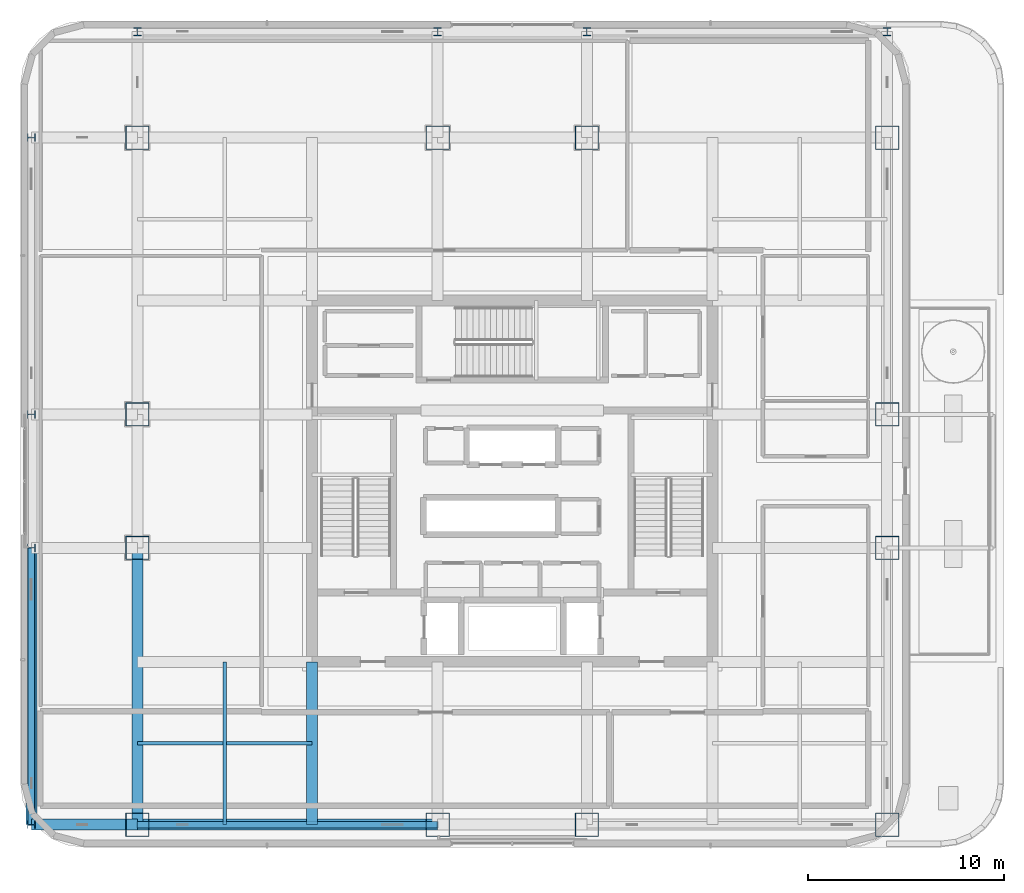
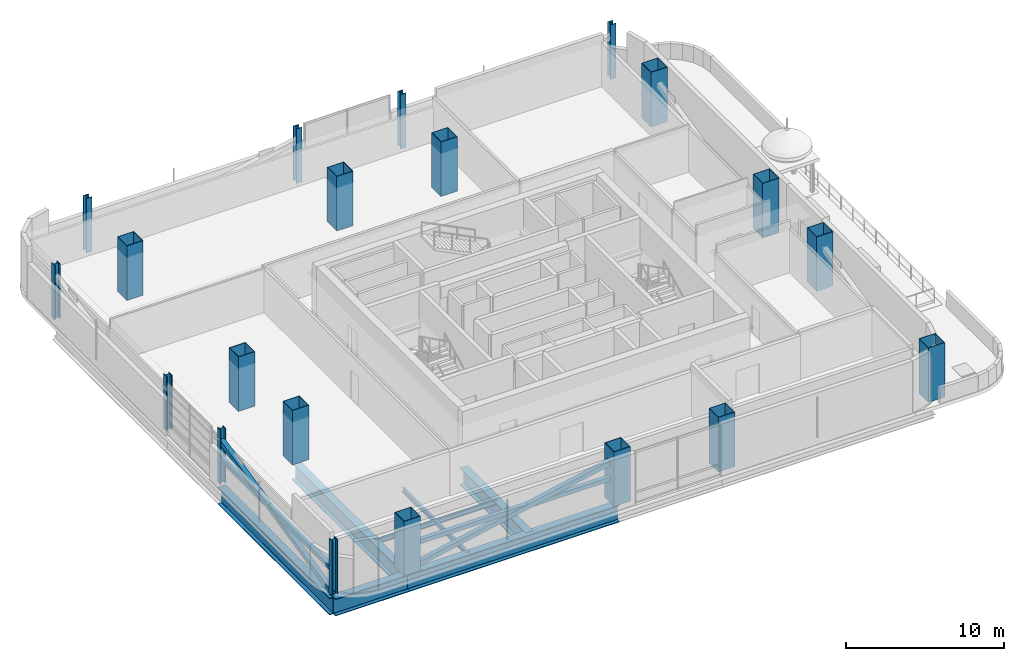
# One storey, part 1 of 31: 20 columns, 7 beams, 4 members.
"""IFC4 building model written with IfcOpenShell, lengths in metres."""

from ifc_helpers import new_model, si_unit, direction, frame, origin, origin_2d, place, context, subcontext, project, spatial, hollow_rectangle, i_section, extrude, material, material_profile, profile_set, type_object, element, save


model = new_model("IFC4")

# Units and contexts
model_context = context("Model", 3, precision=1e-05, world=origin(), true_north=direction((0.0, 1.0)))
body_context = subcontext(model_context, "Body", "Model", "MODEL_VIEW")
ifc_project = project(units=[si_unit("LENGTHUNIT", "METRE"), si_unit("AREAUNIT", "SQUARE_METRE"), si_unit("VOLUMEUNIT", "CUBIC_METRE"), si_unit("PLANEANGLEUNIT", "RADIAN"), si_unit("MASSUNIT", "GRAM", prefix="KILO")], contexts=[model_context])

# Site, building, storey
site_placement = place(None, origin())
site = spatial("IfcSite", under=ifc_project, at=site_placement, CompositionType="ELEMENT")
building_placement = place(site_placement, origin())
building = spatial("IfcBuilding", under=site, at=building_placement, Name="Punatoya Terracotta Tower", CompositionType="ELEMENT")
storey_placement = place(building_placement, frame((0.0, 0.0, 283.800048828125)))
storey = spatial("IfcBuildingStorey", under=building, at=storey_placement, Name="L67", CompositionType="ELEMENT", Elevation=283.800048828125)

# Columns
ifc_material_1 = material(Name="Steel S460", Category="steel")
ifc_material_profile_1 = material_profile(ifc_material_1, i_section(OverallWidth=0.406005859375, OverallDepth=0.416015625, WebThickness=0.029052734375, FlangeThickness=0.048095703125, FilletRadius=0.01806640625, at=origin_2d()))
ifc_profile_set_1 = profile_set([ifc_material_profile_1], Name="Steel S460")
column_type_1 = type_object("IfcColumnType", Name="COL-EX-M3", PredefinedType="COLUMN", material=ifc_profile_set_1)
for number, where, z_axis, x_axis, name in (
    (1, (-19.10009765625, 22.89990234375, 0.0), (0.0, 0.0, 1.0), (1.0, 0.0, 0.0), "L67 Exoskeleton Perimeter Column N1"),
    (2, (-3.800048828125, 22.89990234375, 0.0), (0.0, 0.0, 1.0), (1.0, 0.0, 0.0), "L67 Exoskeleton Perimeter Column N2"),
    (3, (3.800048828125, 22.89990234375, 0.0), (0.0, 0.0, 1.0), (1.0, 0.0, 0.0), "L67 Exoskeleton Perimeter Column N3"),
    (4, (19.10009765625, 22.89990234375, 0.0), (0.0, 0.0, 1.0), (1.0, 0.0, 0.0), "L67 Exoskeleton Perimeter Column N4"),
    (5, (-24.5, -17.5, 0.0), (0.0, 0.0, 1.0), (0.0, 1.0, 0.0), "L67 Exoskeleton Perimeter Column W1"),
    (6, (-24.5, -3.39990234375, 0.0), (0.0, 0.0, 1.0), (0.0, 1.0, 0.0), "L67 Exoskeleton Perimeter Column W2"),
    (7, (-24.5, 3.39990234375, 0.0), (0.0, 0.0, 1.0), (0.0, 1.0, 0.0), "L67 Exoskeleton Perimeter Column W3"),
    (8, (-24.5, 17.5, 0.0), (0.0, 0.0, 1.0), (0.0, 1.0, 0.0), "L67 Exoskeleton Perimeter Column W4"),
):
    element("IfcColumn", number, at=place(storey_placement, frame(where, z_axis=z_axis, x_axis=x_axis)), inside=storey, type_object=column_type_1, Name=name, PredefinedType="COLUMN", context=body_context, shape_type="SweptSolid", body=[
        extrude(i_section(OverallWidth=0.406005859375, OverallDepth=0.416015625, WebThickness=0.029052734375, FlangeThickness=0.048095703125, FilletRadius=0.01806640625, at=origin_2d()), origin(), (0.0, 0.0, 1.0), 4.197998046875),
    ])
ifc_material_profile_2 = material_profile(ifc_material_1, hollow_rectangle(XDim=1.199951171875, YDim=1.199951171875, WallThickness=0.034912109375, at=origin_2d()))
ifc_profile_set_2 = profile_set([ifc_material_profile_2], Name="Steel S460")
column_type_2 = type_object("IfcColumnType", Name="COL-MC-Z4", PredefinedType="COLUMN", material=ifc_profile_set_2)
for number, where, z_axis, x_axis, name in (
    (9, (-19.10009765625, -17.5, 0.0), (0.0, 0.0, 1.0), (1.0, 0.0, 0.0), "L67 Composite Mega-Column MC-01 (3-B)"),
    (10, (-3.800048828125, -17.5, 0.0), (0.0, 0.0, 1.0), (1.0, 0.0, 0.0), "L67 Composite Mega-Column MC-02 (5-B)"),
    (11, (3.800048828125, -17.5, 0.0), (0.0, 0.0, 1.0), (1.0, 0.0, 0.0), "L67 Composite Mega-Column MC-03 (7-B)"),
    (12, (19.10009765625, -17.5, 0.0), (0.0, 0.0, 1.0), (1.0, 0.0, 0.0), "L67 Composite Mega-Column MC-04 (9-B)"),
    (13, (19.10009765625, -3.39990234375, 0.0), (0.0, 0.0, 1.0), (1.0, 0.0, 0.0), "L67 Composite Mega-Column MC-05 (9-D)"),
    (14, (19.10009765625, 3.39990234375, 0.0), (0.0, 0.0, 1.0), (1.0, 0.0, 0.0), "L67 Composite Mega-Column MC-06 (9-E)"),
    (15, (19.10009765625, 17.5, 0.0), (0.0, 0.0, 1.0), (1.0, 0.0, 0.0), "L67 Composite Mega-Column MC-07 (9-G)"),
    (16, (3.800048828125, 17.5, 0.0), (0.0, 0.0, 1.0), (1.0, 0.0, 0.0), "L67 Composite Mega-Column MC-08 (7-G)"),
    (17, (-3.800048828125, 17.5, 0.0), (0.0, 0.0, 1.0), (1.0, 0.0, 0.0), "L67 Composite Mega-Column MC-09 (5-G)"),
    (18, (-19.10009765625, 17.5, 0.0), (0.0, 0.0, 1.0), (1.0, 0.0, 0.0), "L67 Composite Mega-Column MC-10 (3-G)"),
    (19, (-19.10009765625, 3.39990234375, 0.0), (0.0, 0.0, 1.0), (1.0, 0.0, 0.0), "L67 Composite Mega-Column MC-11 (3-E)"),
    (20, (-19.10009765625, -3.39990234375, 0.0), (0.0, 0.0, 1.0), (1.0, 0.0, 0.0), "L67 Composite Mega-Column MC-12 (3-D)"),
):
    element("IfcColumn", number, at=place(storey_placement, frame(where, z_axis=z_axis, x_axis=x_axis)), inside=storey, type_object=column_type_2, Name=name, PredefinedType="COLUMN", context=body_context, shape_type="SweptSolid", body=[
        extrude(hollow_rectangle(XDim=1.199951171875, YDim=1.199951171875, WallThickness=0.034912109375, at=origin_2d()), origin(), (0.0, 0.0, 1.0), 4.199951171875),
    ])

# Beams
ifc_material_2 = material(Name="Steel S355", Category="steel")
ifc_material_profile_3 = material_profile(ifc_material_2, i_section(OverallWidth=0.169921875, OverallDepth=0.360107421875, WebThickness=0.008056640625, FlangeThickness=0.0126953125, FilletRadius=0.01806640625, at=origin_2d()))
ifc_profile_set_3 = profile_set([ifc_material_profile_3], Name="Steel S355")
beam_type_1 = type_object("IfcBeamType", Name="BM-SEC-360", PredefinedType="JOIST", material=ifc_profile_set_3)
beam_1_placement = place(storey_placement, frame((-19.10009765625, -13.35009765625, -0.4599609375), z_axis=(1.0, 0.0, 0.0), x_axis=(0.0, 1.0, 0.0)))
element("IfcBeam", 21, at=beam_1_placement, inside=storey, type_object=beam_type_1, Name="BM-L67-SJS-1", PredefinedType="JOIST", context=body_context, shape_type="SweptSolid", body=[
    extrude(i_section(OverallWidth=0.169921875, OverallDepth=0.360107421875, WebThickness=0.008056640625, FlangeThickness=0.0126953125, FilletRadius=0.01806640625, at=origin_2d()), origin(), (0.0, 0.0, 1.0), 8.900146484375),
])
beam_2_placement = place(storey_placement, frame((-14.64990234375, -17.5, -0.4599609375), z_axis=(0.0, 1.0, 0.0), x_axis=(-1.0, 0.0, 0.0)))
element("IfcBeam", 22, at=beam_2_placement, inside=storey, type_object=beam_type_1, Name="BM-L67-SJW-1", PredefinedType="JOIST", context=body_context, shape_type="SweptSolid", body=[
    extrude(i_section(OverallWidth=0.169921875, OverallDepth=0.360107421875, WebThickness=0.008056640625, FlangeThickness=0.0126953125, FilletRadius=0.01806640625, at=origin_2d()), origin(), (0.0, 0.0, 1.0), 8.300048828125),
])
ifc_material_profile_4 = material_profile(ifc_material_1, i_section(OverallWidth=0.56005859375, OverallDepth=1.320068359375, WebThickness=0.035888671875, FlangeThickness=0.054931640625, FilletRadius=0.01806640625, at=origin_2d()))
ifc_profile_set_4 = profile_set([ifc_material_profile_4], Name="Steel S460")
beam_type_2 = type_object("IfcBeamType", Name="BM-TG-BLK", PredefinedType="BEAM", material=ifc_profile_set_4)
beam_3_placement = place(storey_placement, frame((-19.10009765625, -17.5, -0.93994140625), z_axis=(1.0, 0.0, 0.0), x_axis=(0.0, 1.0, 0.0)))
element("IfcBeam", 23, at=beam_3_placement, inside=storey, type_object=beam_type_2, Name="BM-L67-RG-S1", PredefinedType="BEAM", context=body_context, shape_type="SweptSolid", body=[
    extrude(i_section(OverallWidth=0.56005859375, OverallDepth=1.320068359375, WebThickness=0.035888671875, FlangeThickness=0.054931640625, FilletRadius=0.01806640625, at=origin_2d()), origin(), (0.0, 0.0, 1.0), 15.300048828125),
])
beam_4_placement = place(storey_placement, frame((-19.10009765625, -17.5, -0.93994140625), z_axis=(0.0, 1.0, 0.0), x_axis=(-1.0, 0.0, 0.0)))
element("IfcBeam", 24, at=beam_4_placement, inside=storey, type_object=beam_type_2, Name="BM-L67-RG-W1", PredefinedType="BEAM", context=body_context, shape_type="SweptSolid", body=[
    extrude(i_section(OverallWidth=0.56005859375, OverallDepth=1.320068359375, WebThickness=0.035888671875, FlangeThickness=0.054931640625, FilletRadius=0.01806640625, at=origin_2d()), origin(), (0.0, 0.0, 1.0), 14.10009765625),
])
beam_5_placement = place(storey_placement, frame((-10.199951171875, -17.5, -0.93994140625), z_axis=(0.0, 1.0, 0.0), x_axis=(-1.0, 0.0, 0.0)))
element("IfcBeam", 25, at=beam_5_placement, inside=storey, type_object=beam_type_2, Name="BM-L67-PR-S1", PredefinedType="BEAM", context=body_context, shape_type="SweptSolid", body=[
    extrude(i_section(OverallWidth=0.56005859375, OverallDepth=1.320068359375, WebThickness=0.035888671875, FlangeThickness=0.054931640625, FilletRadius=0.01806640625, at=origin_2d()), origin(), (0.0, 0.0, 1.0), 8.300048828125),
])
beam_6_placement = place(storey_placement, frame((-24.5, -17.5, -0.93994140625), z_axis=(1.0, 0.0, 0.0), x_axis=(0.0, 1.0, 0.0)))
element("IfcBeam", 26, at=beam_6_placement, inside=storey, type_object=beam_type_2, Name="BM-L67-CANT-W1", PredefinedType="BEAM", context=body_context, shape_type="SweptSolid", body=[
    extrude(i_section(OverallWidth=0.56005859375, OverallDepth=1.320068359375, WebThickness=0.035888671875, FlangeThickness=0.054931640625, FilletRadius=0.01806640625, at=origin_2d()), origin(), (0.0, 0.0, 1.0), 5.39990234375),
])
beam_7_placement = place(storey_placement, frame((-24.5, -17.5, -0.93994140625), z_axis=(0.0, 1.0, 0.0), x_axis=(-1.0, 0.0, 0.0)))
element("IfcBeam", 27, at=beam_7_placement, inside=storey, type_object=beam_type_2, Name="BM-L67-PER-W1", PredefinedType="BEAM", context=body_context, shape_type="SweptSolid", body=[
    extrude(i_section(OverallWidth=0.56005859375, OverallDepth=1.320068359375, WebThickness=0.035888671875, FlangeThickness=0.054931640625, FilletRadius=0.01806640625, at=origin_2d()), origin(), (0.0, 0.0, 1.0), 14.10009765625),
])

# Members
ifc_material_profile_5 = material_profile(ifc_material_1, hollow_rectangle(XDim=0.320068359375, YDim=0.320068359375, WallThickness=0.01806640625, at=origin_2d()))
ifc_profile_set_5 = profile_set([ifc_material_profile_5], Name="Steel S460")
member_type_1 = type_object("IfcMemberType", Name="MEM-CHD-320", PredefinedType="CHORD", material=ifc_profile_set_5)
member_1_placement = place(storey_placement, frame((-19.10009765625, -17.5, 1.849853515625), z_axis=(1.0, 0.0, 0.0), x_axis=(0.0, 1.0, 0.0)))
element("IfcMember", 28, at=member_1_placement, inside=storey, type_object=member_type_1, Name="L67 Exoskeleton Belt Truss Tie Chord S1", PredefinedType="CHORD", context=body_context, shape_type="SweptSolid", body=[
    extrude(hollow_rectangle(XDim=0.320068359375, YDim=0.320068359375, WallThickness=0.01806640625, at=origin_2d()), origin(), (0.0, 0.0, 1.0), 15.300048828125),
])
member_2_placement = place(storey_placement, frame((-24.5, -17.5, 1.849853515625), z_axis=(0.0, 1.0, 0.0), x_axis=(-1.0, 0.0, 0.0)))
element("IfcMember", 29, at=member_2_placement, inside=storey, type_object=member_type_1, Name="L67 Exoskeleton Belt Truss Tie Chord W1", PredefinedType="CHORD", context=body_context, shape_type="SweptSolid", body=[
    extrude(hollow_rectangle(XDim=0.320068359375, YDim=0.320068359375, WallThickness=0.01806640625, at=origin_2d()), origin(), (0.0, 0.0, 1.0), 14.10009765625),
])
ifc_material_profile_6 = material_profile(ifc_material_1, hollow_rectangle(XDim=0.35009765625, YDim=0.35009765625, WallThickness=0.01806640625, at=origin_2d()))
ifc_profile_set_6 = profile_set([ifc_material_profile_6], Name="Steel S460")
member_type_2 = type_object("IfcMemberType", Name="MEM-EXO-350", PredefinedType="BRACE", material=ifc_profile_set_6)
member_3_placement = place(storey_placement, frame((-19.10009765625, -17.5, 0.02001953125), z_axis=(0.979077140745, 0.0, 0.203489440684), x_axis=(0.0, 1.0, 0.0)))
element("IfcMember", 30, at=member_3_placement, inside=storey, type_object=member_type_2, Name="L67 Exoskeleton Belt Brace S1", PredefinedType="BRACE", context=body_context, shape_type="SweptSolid", body=[
    extrude(hollow_rectangle(XDim=0.35009765625, YDim=0.35009765625, WallThickness=0.01806640625, at=origin_2d()), origin(), (0.0, 0.0, 1.0), 15.626953125),
])
member_4_placement = place(storey_placement, frame((-24.5, -17.5, 0.02001953125), z_axis=(0.0, 0.975499850193, 0.220000096076), x_axis=(-1.0, 0.0, 0.0)))
element("IfcMember", 31, at=member_4_placement, inside=storey, type_object=member_type_2, Name="L67 Exoskeleton Belt Brace W1", PredefinedType="BRACE", context=body_context, shape_type="SweptSolid", body=[
    extrude(hollow_rectangle(XDim=0.35009765625, YDim=0.35009765625, WallThickness=0.01806640625, at=origin_2d()), origin(), (0.0, 0.0, 1.0), 14.454345703125),
])

save(model, "model.ifc")
